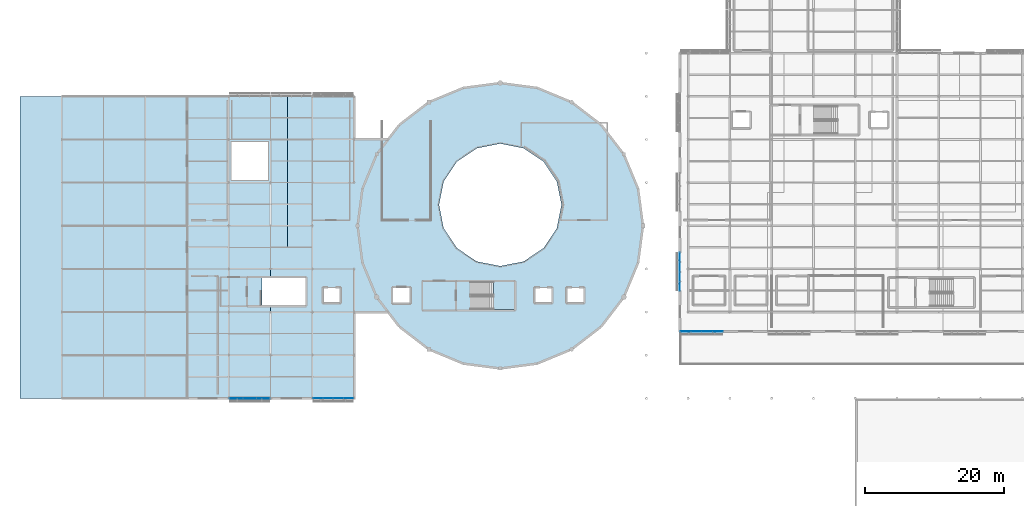
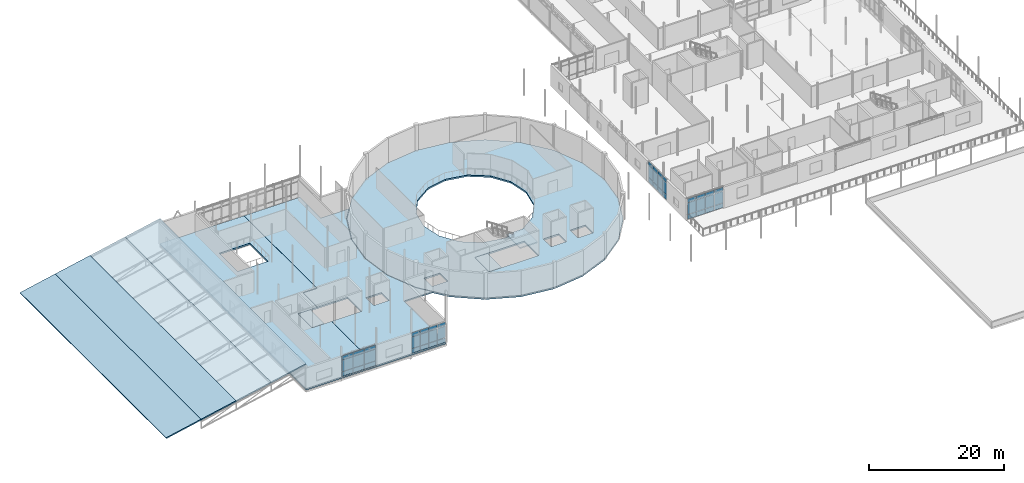
# One storey, part 38 of 66: 45 plates, 10 slabs, 5 elements without a shape of their own.
"""IFC4 building model written with IfcOpenShell, lengths in metres."""

from ifc_helpers import new_model, si_unit, direction, frame, origin, origin_2d, place, context, subcontext, project, spatial, polyline, rectangle, outline, extrude, material, layer, layer_set, type_object, element, aggregate, save


model = new_model("IFC4")

# Units and contexts
model_context = context("Model", 3, precision=1e-05, world=origin(), true_north=direction((0.0, 1.0)))
body_context = subcontext(model_context, "Body", "Model", "MODEL_VIEW")
ifc_project = project(units=[si_unit("LENGTHUNIT", "METRE"), si_unit("AREAUNIT", "SQUARE_METRE"), si_unit("VOLUMEUNIT", "CUBIC_METRE"), si_unit("PLANEANGLEUNIT", "RADIAN"), si_unit("MASSUNIT", "GRAM", prefix="KILO")], contexts=[model_context])

# Site, building, storey
site_placement = place(None, origin())
site = spatial("IfcSite", under=ifc_project, at=site_placement, CompositionType="ELEMENT")
building_placement = place(site_placement, origin())
building = spatial("IfcBuilding", under=site, at=building_placement, Name="Mirzam Square Science Centre", CompositionType="ELEMENT")
storey_placement = place(building_placement, frame((0.0, 0.0, 15.60009765625)))
storey = spatial("IfcBuildingStorey", under=building, at=storey_placement, Name="L03", CompositionType="ELEMENT", Elevation=15.60009765625)

# Curtain wall, plates
ifc_material_1 = material(Name="Anodised Aluminium and Low-E Solar Glass", Category="aluminium")
ifc_layer_1 = layer(ifc_material_1, 0.159912109375)
ifc_layer_set_1 = layer_set([ifc_layer_1], Name="CW-COURT-B")
curtain_wall_type_1 = type_object("IfcCurtainWallType", Name="CW-COURT-B", PredefinedType="USERDEFINED", material=ifc_layer_set_1)
curtain_wall_1_placement = place(storey_placement, origin())
curtain_wall_1 = element("IfcCurtainWall", 1, at=curtain_wall_1_placement, inside=storey, type_object=curtain_wall_type_1, Name="L03 unitised curtain wall 123", ObjectType="UNITISED CURTAIN WALL", PredefinedType="USERDEFINED")
ifc_material_2 = material(Name="Ceramic-Fritted Courtyard Solar Glass", Category="glass")
ifc_layer_2 = layer(ifc_material_2, 0.02392578125)
ifc_layer_set_2 = layer_set([ifc_layer_2], Name="CWP-GLZ-24")
plate_type_1 = type_object("IfcPlateType", Name="CWP-GLZ-24", PredefinedType="CURTAIN_PANEL", material=ifc_layer_set_2)
plate_1_placement = place(storey_placement, frame((107.643798828125, 46.800048828125, 0.059814453125), z_axis=(0.0, 0.0, 1.0), x_axis=(1.0, 0.0, 0.0)))
plate_1 = element("IfcPlate", 2, at=plate_1_placement, type_object=plate_type_1, Name="CW-04 panel 1.1", PredefinedType="CURTAIN_PANEL", context=body_context, shape_type="SweptSolid", body=[
    extrude(rectangle(XDim=1.45751953125, YDim=0.02392578125, at=origin_2d()), origin(), (0.0, 0.0, 1.0), 0.81005859375),
])
plate_2_placement = place(storey_placement, frame((107.643798828125, 46.800048828125, 0.929931640625), z_axis=(0.0, 0.0, 1.0), x_axis=(1.0, 0.0, 0.0)))
plate_2 = element("IfcPlate", 3, at=plate_2_placement, type_object=plate_type_1, Name="CW-04 panel 1.2", PredefinedType="CURTAIN_PANEL", context=body_context, shape_type="SweptSolid", body=[
    extrude(rectangle(XDim=1.45751953125, YDim=0.02392578125, at=origin_2d()), origin(), (0.0, 0.0, 1.0), 2.080078125),
])
plate_3_placement = place(storey_placement, frame((107.643798828125, 46.800048828125, 3.06982421875), z_axis=(0.0, 0.0, 1.0), x_axis=(1.0, 0.0, 0.0)))
plate_3 = element("IfcPlate", 4, at=plate_3_placement, type_object=plate_type_1, Name="CW-04 panel 1.3", PredefinedType="CURTAIN_PANEL", context=body_context, shape_type="SweptSolid", body=[
    extrude(rectangle(XDim=1.45751953125, YDim=0.02392578125, at=origin_2d()), origin(), (0.0, 0.0, 1.0), 0.7099609375),
])
plate_4_placement = place(storey_placement, frame((109.17626953125, 46.800048828125, 0.059814453125), z_axis=(0.0, 0.0, 1.0), x_axis=(1.0, 0.0, 0.0)))
plate_4 = element("IfcPlate", 5, at=plate_4_placement, type_object=plate_type_1, Name="CW-04 panel 2.1", PredefinedType="CURTAIN_PANEL", context=body_context, shape_type="SweptSolid", body=[
    extrude(rectangle(XDim=1.487548828125, YDim=0.02392578125, at=origin_2d()), origin(), (0.0, 0.0, 1.0), 0.81005859375),
])
plate_5_placement = place(storey_placement, frame((109.17626953125, 46.800048828125, 0.929931640625), z_axis=(0.0, 0.0, 1.0), x_axis=(1.0, 0.0, 0.0)))
plate_5 = element("IfcPlate", 6, at=plate_5_placement, type_object=plate_type_1, Name="CW-04 panel 2.2", PredefinedType="CURTAIN_PANEL", context=body_context, shape_type="SweptSolid", body=[
    extrude(rectangle(XDim=1.487548828125, YDim=0.02392578125, at=origin_2d()), origin(), (0.0, 0.0, 1.0), 2.080078125),
])
plate_6_placement = place(storey_placement, frame((109.17626953125, 46.800048828125, 3.06982421875), z_axis=(0.0, 0.0, 1.0), x_axis=(1.0, 0.0, 0.0)))
plate_6 = element("IfcPlate", 7, at=plate_6_placement, type_object=plate_type_1, Name="CW-04 panel 2.3", PredefinedType="CURTAIN_PANEL", context=body_context, shape_type="SweptSolid", body=[
    extrude(rectangle(XDim=1.487548828125, YDim=0.02392578125, at=origin_2d()), origin(), (0.0, 0.0, 1.0), 0.7099609375),
])
plate_7_placement = place(storey_placement, frame((110.7236328125, 46.800048828125, 0.059814453125), z_axis=(0.0, 0.0, 1.0), x_axis=(1.0, 0.0, 0.0)))
plate_7 = element("IfcPlate", 8, at=plate_7_placement, type_object=plate_type_1, Name="CW-04 panel 3.1", PredefinedType="CURTAIN_PANEL", context=body_context, shape_type="SweptSolid", body=[
    extrude(rectangle(XDim=1.487548828125, YDim=0.02392578125, at=origin_2d()), origin(), (0.0, 0.0, 1.0), 0.81005859375),
])
plate_8_placement = place(storey_placement, frame((110.7236328125, 46.800048828125, 0.929931640625), z_axis=(0.0, 0.0, 1.0), x_axis=(1.0, 0.0, 0.0)))
plate_8 = element("IfcPlate", 9, at=plate_8_placement, type_object=plate_type_1, Name="CW-04 panel 3.2", PredefinedType="CURTAIN_PANEL", context=body_context, shape_type="SweptSolid", body=[
    extrude(rectangle(XDim=1.487548828125, YDim=0.02392578125, at=origin_2d()), origin(), (0.0, 0.0, 1.0), 2.080078125),
])
plate_9_placement = place(storey_placement, frame((110.7236328125, 46.800048828125, 3.06982421875), z_axis=(0.0, 0.0, 1.0), x_axis=(1.0, 0.0, 0.0)))
plate_9 = element("IfcPlate", 10, at=plate_9_placement, type_object=plate_type_1, Name="CW-04 panel 3.3", PredefinedType="CURTAIN_PANEL", context=body_context, shape_type="SweptSolid", body=[
    extrude(rectangle(XDim=1.487548828125, YDim=0.02392578125, at=origin_2d()), origin(), (0.0, 0.0, 1.0), 0.7099609375),
])
plate_10_placement = place(storey_placement, frame((112.25634765625, 46.800048828125, 0.059814453125), z_axis=(0.0, 0.0, 1.0), x_axis=(1.0, 0.0, 0.0)))
plate_10 = element("IfcPlate", 11, at=plate_10_placement, type_object=plate_type_1, Name="CW-04 panel 4.1", PredefinedType="CURTAIN_PANEL", context=body_context, shape_type="SweptSolid", body=[
    extrude(rectangle(XDim=1.45751953125, YDim=0.02392578125, at=origin_2d()), origin(), (0.0, 0.0, 1.0), 0.81005859375),
])
plate_11_placement = place(storey_placement, frame((112.25634765625, 46.800048828125, 0.929931640625), z_axis=(0.0, 0.0, 1.0), x_axis=(1.0, 0.0, 0.0)))
plate_11 = element("IfcPlate", 12, at=plate_11_placement, type_object=plate_type_1, Name="CW-04 panel 4.2", PredefinedType="CURTAIN_PANEL", context=body_context, shape_type="SweptSolid", body=[
    extrude(rectangle(XDim=1.45751953125, YDim=0.02392578125, at=origin_2d()), origin(), (0.0, 0.0, 1.0), 2.080078125),
])
plate_12_placement = place(storey_placement, frame((112.25634765625, 46.800048828125, 3.06982421875), z_axis=(0.0, 0.0, 1.0), x_axis=(1.0, 0.0, 0.0)))
plate_12 = element("IfcPlate", 13, at=plate_12_placement, type_object=plate_type_1, Name="CW-04 panel 4.3", PredefinedType="CURTAIN_PANEL", context=body_context, shape_type="SweptSolid", body=[
    extrude(rectangle(XDim=1.45751953125, YDim=0.02392578125, at=origin_2d()), origin(), (0.0, 0.0, 1.0), 0.7099609375),
])
aggregate(curtain_wall_1, [plate_1, plate_2, plate_3, plate_4, plate_5, plate_6, plate_7, plate_8, plate_9, plate_10, plate_11, plate_12])

curtain_wall_2_placement = place(storey_placement, origin())
curtain_wall_2 = element("IfcCurtainWall", 14, at=curtain_wall_2_placement, inside=storey, type_object=curtain_wall_type_1, Name="L03 unitised curtain wall 35", ObjectType="UNITISED CURTAIN WALL", PredefinedType="USERDEFINED")
ifc_material_3 = material(Name="Triple-Glazed Acoustic Low-E Solar Glass", Category="glass")
ifc_layer_3 = layer(ifc_material_3, 0.031982421875)
ifc_layer_set_3 = layer_set([ifc_layer_3], Name="CWP-GLZ-32")
plate_type_2 = type_object("IfcPlateType", Name="CWP-GLZ-32", PredefinedType="CURTAIN_PANEL", material=ifc_layer_set_3)
plate_13_placement = place(storey_placement, frame((54.81005859375, 37.199951171875, 0.074951171875), z_axis=(0.0, 0.0, 1.0), x_axis=(1.0, 0.0, 0.0)))
plate_13 = element("IfcPlate", 15, at=plate_13_placement, type_object=plate_type_2, Name="CW-04 panel 1.1", PredefinedType="CURTAIN_PANEL", context=body_context, shape_type="SweptSolid", body=[
    extrude(rectangle(XDim=1.360107421875, YDim=0.031982421875, at=origin_2d()), origin(), (0.0, 0.0, 1.0), 0.78759765625),
])
plate_14_placement = place(storey_placement, frame((54.81005859375, 37.199951171875, 0.9375), z_axis=(0.0, 0.0, 1.0), x_axis=(1.0, 0.0, 0.0)))
plate_14 = element("IfcPlate", 16, at=plate_14_placement, type_object=plate_type_2, Name="CW-04 panel 1.2", PredefinedType="CURTAIN_PANEL", context=body_context, shape_type="SweptSolid", body=[
    extrude(rectangle(XDim=1.360107421875, YDim=0.031982421875, at=origin_2d()), origin(), (0.0, 0.0, 1.0), 2.06494140625),
])
plate_15_placement = place(storey_placement, frame((54.81005859375, 37.199951171875, 3.077392578125), z_axis=(0.0, 0.0, 1.0), x_axis=(1.0, 0.0, 0.0)))
plate_15 = element("IfcPlate", 17, at=plate_15_placement, type_object=plate_type_2, Name="CW-04 panel 1.3", PredefinedType="CURTAIN_PANEL", context=body_context, shape_type="SweptSolid", body=[
    extrude(rectangle(XDim=1.360107421875, YDim=0.031982421875, at=origin_2d()), origin(), (0.0, 0.0, 1.0), 0.6875),
])
plate_16_placement = place(storey_placement, frame((56.263671875, 37.199951171875, 0.074951171875), z_axis=(0.0, 0.0, 1.0), x_axis=(1.0, 0.0, 0.0)))
plate_16 = element("IfcPlate", 18, at=plate_16_placement, type_object=plate_type_2, Name="CW-04 panel 2.1", PredefinedType="CURTAIN_PANEL", context=body_context, shape_type="SweptSolid", body=[
    extrude(rectangle(XDim=1.3974609375, YDim=0.031982421875, at=origin_2d()), origin(), (0.0, 0.0, 1.0), 0.78759765625),
])
plate_17_placement = place(storey_placement, frame((56.263671875, 37.199951171875, 0.9375), z_axis=(0.0, 0.0, 1.0), x_axis=(1.0, 0.0, 0.0)))
plate_17 = element("IfcPlate", 19, at=plate_17_placement, type_object=plate_type_2, Name="CW-04 panel 2.2", PredefinedType="CURTAIN_PANEL", context=body_context, shape_type="SweptSolid", body=[
    extrude(rectangle(XDim=1.3974609375, YDim=0.031982421875, at=origin_2d()), origin(), (0.0, 0.0, 1.0), 2.06494140625),
])
plate_18_placement = place(storey_placement, frame((56.263671875, 37.199951171875, 3.077392578125), z_axis=(0.0, 0.0, 1.0), x_axis=(1.0, 0.0, 0.0)))
plate_18 = element("IfcPlate", 20, at=plate_18_placement, type_object=plate_type_2, Name="CW-04 panel 2.3", PredefinedType="CURTAIN_PANEL", context=body_context, shape_type="SweptSolid", body=[
    extrude(rectangle(XDim=1.3974609375, YDim=0.031982421875, at=origin_2d()), origin(), (0.0, 0.0, 1.0), 0.6875),
])
plate_19_placement = place(storey_placement, frame((57.736328125, 37.199951171875, 0.074951171875), z_axis=(0.0, 0.0, 1.0), x_axis=(1.0, 0.0, 0.0)))
plate_19 = element("IfcPlate", 21, at=plate_19_placement, type_object=plate_type_2, Name="CW-04 panel 3.1", PredefinedType="CURTAIN_PANEL", context=body_context, shape_type="SweptSolid", body=[
    extrude(rectangle(XDim=1.3974609375, YDim=0.031982421875, at=origin_2d()), origin(), (0.0, 0.0, 1.0), 0.78759765625),
])
plate_20_placement = place(storey_placement, frame((57.736328125, 37.199951171875, 0.9375), z_axis=(0.0, 0.0, 1.0), x_axis=(1.0, 0.0, 0.0)))
plate_20 = element("IfcPlate", 22, at=plate_20_placement, type_object=plate_type_2, Name="CW-04 panel 3.2", PredefinedType="CURTAIN_PANEL", context=body_context, shape_type="SweptSolid", body=[
    extrude(rectangle(XDim=1.3974609375, YDim=0.031982421875, at=origin_2d()), origin(), (0.0, 0.0, 1.0), 2.06494140625),
])
plate_21_placement = place(storey_placement, frame((57.736328125, 37.199951171875, 3.077392578125), z_axis=(0.0, 0.0, 1.0), x_axis=(1.0, 0.0, 0.0)))
plate_21 = element("IfcPlate", 23, at=plate_21_placement, type_object=plate_type_2, Name="CW-04 panel 3.3", PredefinedType="CURTAIN_PANEL", context=body_context, shape_type="SweptSolid", body=[
    extrude(rectangle(XDim=1.3974609375, YDim=0.031982421875, at=origin_2d()), origin(), (0.0, 0.0, 1.0), 0.6875),
])
plate_22_placement = place(storey_placement, frame((59.18994140625, 37.199951171875, 0.074951171875), z_axis=(0.0, 0.0, 1.0), x_axis=(1.0, 0.0, 0.0)))
plate_22 = element("IfcPlate", 24, at=plate_22_placement, type_object=plate_type_2, Name="CW-04 panel 4.1", PredefinedType="CURTAIN_PANEL", context=body_context, shape_type="SweptSolid", body=[
    extrude(rectangle(XDim=1.360107421875, YDim=0.031982421875, at=origin_2d()), origin(), (0.0, 0.0, 1.0), 0.78759765625),
])
plate_23_placement = place(storey_placement, frame((59.18994140625, 37.199951171875, 0.9375), z_axis=(0.0, 0.0, 1.0), x_axis=(1.0, 0.0, 0.0)))
plate_23 = element("IfcPlate", 25, at=plate_23_placement, type_object=plate_type_2, Name="CW-04 panel 4.2", PredefinedType="CURTAIN_PANEL", context=body_context, shape_type="SweptSolid", body=[
    extrude(rectangle(XDim=1.360107421875, YDim=0.031982421875, at=origin_2d()), origin(), (0.0, 0.0, 1.0), 2.06494140625),
])
plate_24_placement = place(storey_placement, frame((59.18994140625, 37.199951171875, 3.077392578125), z_axis=(0.0, 0.0, 1.0), x_axis=(1.0, 0.0, 0.0)))
plate_24 = element("IfcPlate", 26, at=plate_24_placement, type_object=plate_type_2, Name="CW-04 panel 4.3", PredefinedType="CURTAIN_PANEL", context=body_context, shape_type="SweptSolid", body=[
    extrude(rectangle(XDim=1.360107421875, YDim=0.031982421875, at=origin_2d()), origin(), (0.0, 0.0, 1.0), 0.6875),
])
aggregate(curtain_wall_2, [plate_13, plate_14, plate_15, plate_16, plate_17, plate_18, plate_19, plate_20, plate_21, plate_22, plate_23, plate_24])

ifc_layer_4 = layer(ifc_material_1, 0.179931640625)
ifc_layer_set_4 = layer_set([ifc_layer_4], Name="CW-LINK-A")
curtain_wall_type_2 = type_object("IfcCurtainWallType", Name="CW-LINK-A", PredefinedType="USERDEFINED", material=ifc_layer_set_4)
curtain_wall_3_placement = place(storey_placement, origin())
curtain_wall_3 = element("IfcCurtainWall", 27, at=curtain_wall_3_placement, inside=storey, type_object=curtain_wall_type_2, Name="L03 unitised curtain wall 135", ObjectType="UNITISED CURTAIN WALL", PredefinedType="USERDEFINED")
ifc_material_4 = material(Name="Laminated Low-Iron Observatory Solar Glass", Category="glass")
ifc_layer_5 = layer(ifc_material_4, 0.035888671875)
ifc_layer_set_5 = layer_set([ifc_layer_5], Name="CWP-GLZ-36")
plate_type_3 = type_object("IfcPlateType", Name="CWP-GLZ-36", PredefinedType="CURTAIN_PANEL", material=ifc_layer_set_5)
plate_25_placement = place(storey_placement, frame((106.800048828125, 57.456787109375, 0.06494140625), z_axis=(0.0, 0.0, 1.0), x_axis=(0.0, -1.0, 0.0)))
plate_25 = element("IfcPlate", 28, at=plate_25_placement, type_object=plate_type_3, Name="CW-08 panel 1.1", PredefinedType="CURTAIN_PANEL", context=body_context, shape_type="SweptSolid", body=[
    extrude(rectangle(XDim=1.303466796875, YDim=0.035888671875, at=origin_2d()), origin(), (0.0, 0.0, 1.0), 0.802490234375),
])
plate_26_placement = place(storey_placement, frame((106.800048828125, 57.456787109375, 0.9326171875), z_axis=(0.0, 0.0, 1.0), x_axis=(0.0, -1.0, 0.0)))
plate_26 = element("IfcPlate", 29, at=plate_26_placement, type_object=plate_type_3, Name="CW-08 panel 1.2", PredefinedType="CURTAIN_PANEL", context=body_context, shape_type="SweptSolid", body=[
    extrude(rectangle(XDim=1.303466796875, YDim=0.035888671875, at=origin_2d()), origin(), (0.0, 0.0, 1.0), 2.074951171875),
])
plate_27_placement = place(storey_placement, frame((106.800048828125, 57.456787109375, 3.072265625), z_axis=(0.0, 0.0, 1.0), x_axis=(0.0, -1.0, 0.0)))
plate_27 = element("IfcPlate", 30, at=plate_27_placement, type_object=plate_type_3, Name="CW-08 panel 1.3", PredefinedType="CURTAIN_PANEL", context=body_context, shape_type="SweptSolid", body=[
    extrude(rectangle(XDim=1.303466796875, YDim=0.035888671875, at=origin_2d()), origin(), (0.0, 0.0, 1.0), 0.702392578125),
])
plate_28_placement = place(storey_placement, frame((106.800048828125, 56.072021484375, 0.06494140625), z_axis=(0.0, 0.0, 1.0), x_axis=(0.0, -1.0, 0.0)))
plate_28 = element("IfcPlate", 31, at=plate_28_placement, type_object=plate_type_3, Name="CW-08 panel 2.1", PredefinedType="CURTAIN_PANEL", context=body_context, shape_type="SweptSolid", body=[
    extrude(rectangle(XDim=1.336181640625, YDim=0.035888671875, at=origin_2d()), origin(), (0.0, 0.0, 1.0), 0.802490234375),
])
plate_29_placement = place(storey_placement, frame((106.800048828125, 56.072021484375, 0.9326171875), z_axis=(0.0, 0.0, 1.0), x_axis=(0.0, -1.0, 0.0)))
plate_29 = element("IfcPlate", 32, at=plate_29_placement, type_object=plate_type_3, Name="CW-08 panel 2.2", PredefinedType="CURTAIN_PANEL", context=body_context, shape_type="SweptSolid", body=[
    extrude(rectangle(XDim=1.336181640625, YDim=0.035888671875, at=origin_2d()), origin(), (0.0, 0.0, 1.0), 2.074951171875),
])
plate_30_placement = place(storey_placement, frame((106.800048828125, 56.072021484375, 3.072265625), z_axis=(0.0, 0.0, 1.0), x_axis=(0.0, -1.0, 0.0)))
plate_30 = element("IfcPlate", 33, at=plate_30_placement, type_object=plate_type_3, Name="CW-08 panel 2.3", PredefinedType="CURTAIN_PANEL", context=body_context, shape_type="SweptSolid", body=[
    extrude(rectangle(XDim=1.336181640625, YDim=0.035888671875, at=origin_2d()), origin(), (0.0, 0.0, 1.0), 0.702392578125),
])
plate_31_placement = place(storey_placement, frame((106.800048828125, 54.6708984375, 0.06494140625), z_axis=(0.0, 0.0, 1.0), x_axis=(0.0, -1.0, 0.0)))
plate_31 = element("IfcPlate", 34, at=plate_31_placement, type_object=plate_type_3, Name="CW-08 panel 3.1", PredefinedType="CURTAIN_PANEL", context=body_context, shape_type="SweptSolid", body=[
    extrude(rectangle(XDim=1.336181640625, YDim=0.035888671875, at=origin_2d()), origin(), (0.0, 0.0, 1.0), 0.802490234375),
])
plate_32_placement = place(storey_placement, frame((106.800048828125, 54.6708984375, 0.9326171875), z_axis=(0.0, 0.0, 1.0), x_axis=(0.0, -1.0, 0.0)))
plate_32 = element("IfcPlate", 35, at=plate_32_placement, type_object=plate_type_3, Name="CW-08 panel 3.2", PredefinedType="CURTAIN_PANEL", context=body_context, shape_type="SweptSolid", body=[
    extrude(rectangle(XDim=1.336181640625, YDim=0.035888671875, at=origin_2d()), origin(), (0.0, 0.0, 1.0), 2.074951171875),
])
plate_33_placement = place(storey_placement, frame((106.800048828125, 54.6708984375, 3.072265625), z_axis=(0.0, 0.0, 1.0), x_axis=(0.0, -1.0, 0.0)))
plate_33 = element("IfcPlate", 36, at=plate_33_placement, type_object=plate_type_3, Name="CW-08 panel 3.3", PredefinedType="CURTAIN_PANEL", context=body_context, shape_type="SweptSolid", body=[
    extrude(rectangle(XDim=1.336181640625, YDim=0.035888671875, at=origin_2d()), origin(), (0.0, 0.0, 1.0), 0.702392578125),
])
plate_34_placement = place(storey_placement, frame((106.800048828125, 53.2861328125, 0.06494140625), z_axis=(0.0, 0.0, 1.0), x_axis=(0.0, -1.0, 0.0)))
plate_34 = element("IfcPlate", 37, at=plate_34_placement, type_object=plate_type_3, Name="CW-08 panel 4.1", PredefinedType="CURTAIN_PANEL", context=body_context, shape_type="SweptSolid", body=[
    extrude(rectangle(XDim=1.303466796875, YDim=0.035888671875, at=origin_2d()), origin(), (0.0, 0.0, 1.0), 0.802490234375),
])
plate_35_placement = place(storey_placement, frame((106.800048828125, 53.2861328125, 0.9326171875), z_axis=(0.0, 0.0, 1.0), x_axis=(0.0, -1.0, 0.0)))
plate_35 = element("IfcPlate", 38, at=plate_35_placement, type_object=plate_type_3, Name="CW-08 panel 4.2", PredefinedType="CURTAIN_PANEL", context=body_context, shape_type="SweptSolid", body=[
    extrude(rectangle(XDim=1.303466796875, YDim=0.035888671875, at=origin_2d()), origin(), (0.0, 0.0, 1.0), 2.074951171875),
])
plate_36_placement = place(storey_placement, frame((106.800048828125, 53.2861328125, 3.072265625), z_axis=(0.0, 0.0, 1.0), x_axis=(0.0, -1.0, 0.0)))
plate_36 = element("IfcPlate", 39, at=plate_36_placement, type_object=plate_type_3, Name="CW-08 panel 4.3", PredefinedType="CURTAIN_PANEL", context=body_context, shape_type="SweptSolid", body=[
    extrude(rectangle(XDim=1.303466796875, YDim=0.035888671875, at=origin_2d()), origin(), (0.0, 0.0, 1.0), 0.702392578125),
])
aggregate(curtain_wall_3, [plate_25, plate_26, plate_27, plate_28, plate_29, plate_30, plate_31, plate_32, plate_33, plate_34, plate_35, plate_36])

ifc_layer_6 = layer(ifc_material_1, 0.199951171875)
ifc_layer_set_6 = layer_set([ifc_layer_6], Name="CW-PARK-B")
curtain_wall_type_3 = type_object("IfcCurtainWallType", Name="CW-PARK-B", PredefinedType="USERDEFINED", material=ifc_layer_set_6)
curtain_wall_4_placement = place(storey_placement, origin())
curtain_wall_4 = element("IfcCurtainWall", 40, at=curtain_wall_4_placement, inside=storey, type_object=curtain_wall_type_3, Name="L03 unitised curtain wall 34", ObjectType="UNITISED CURTAIN WALL", PredefinedType="USERDEFINED")
ifc_material_5 = material(Name="Acoustic Laminated Solar Spandrel Glass", Category="glass")
ifc_layer_7 = layer(ifc_material_5, 0.0400390625)
ifc_layer_set_7 = layer_set([ifc_layer_7], Name="CWP-GLZ-40")
plate_type_4 = type_object("IfcPlateType", Name="CWP-GLZ-40", PredefinedType="CURTAIN_PANEL", material=ifc_layer_set_7)
plate_37_placement = place(storey_placement, frame((43.0517578125, 37.199951171875, 0.059814453125), z_axis=(0.0, 0.0, 1.0), x_axis=(1.0, 0.0, 0.0)))
plate_37 = element("IfcPlate", 41, at=plate_37_placement, type_object=plate_type_4, Name="CW-02 panel 1.1", PredefinedType="CURTAIN_PANEL", context=body_context, shape_type="SweptSolid", body=[
    extrude(rectangle(XDim=1.873291015625, YDim=0.0400390625, at=origin_2d()), origin(), (0.0, 0.0, 1.0), 0.81005859375),
])
plate_38_placement = place(storey_placement, frame((43.0517578125, 37.199951171875, 0.929931640625), z_axis=(0.0, 0.0, 1.0), x_axis=(1.0, 0.0, 0.0)))
plate_38 = element("IfcPlate", 42, at=plate_38_placement, type_object=plate_type_4, Name="CW-02 panel 1.2", PredefinedType="CURTAIN_PANEL", context=body_context, shape_type="SweptSolid", body=[
    extrude(rectangle(XDim=1.873291015625, YDim=0.0400390625, at=origin_2d()), origin(), (0.0, 0.0, 1.0), 2.080078125),
])
plate_39_placement = place(storey_placement, frame((43.0517578125, 37.199951171875, 3.06982421875), z_axis=(0.0, 0.0, 1.0), x_axis=(1.0, 0.0, 0.0)))
plate_39 = element("IfcPlate", 43, at=plate_39_placement, type_object=plate_type_4, Name="CW-02 panel 1.3", PredefinedType="CURTAIN_PANEL", context=body_context, shape_type="SweptSolid", body=[
    extrude(rectangle(XDim=1.873291015625, YDim=0.0400390625, at=origin_2d()), origin(), (0.0, 0.0, 1.0), 0.7099609375),
])
plate_40_placement = place(storey_placement, frame((45.0, 37.199951171875, 0.059814453125), z_axis=(0.0, 0.0, 1.0), x_axis=(1.0, 0.0, 0.0)))
plate_40 = element("IfcPlate", 44, at=plate_40_placement, type_object=plate_type_4, Name="CW-02 panel 2.1", PredefinedType="CURTAIN_PANEL", context=body_context, shape_type="SweptSolid", body=[
    extrude(rectangle(XDim=1.9033203125, YDim=0.0400390625, at=origin_2d()), origin(), (0.0, 0.0, 1.0), 0.81005859375),
])
plate_41_placement = place(storey_placement, frame((45.0, 37.199951171875, 0.929931640625), z_axis=(0.0, 0.0, 1.0), x_axis=(1.0, 0.0, 0.0)))
plate_41 = element("IfcPlate", 45, at=plate_41_placement, type_object=plate_type_4, Name="CW-02 panel 2.2", PredefinedType="CURTAIN_PANEL", context=body_context, shape_type="SweptSolid", body=[
    extrude(rectangle(XDim=1.9033203125, YDim=0.0400390625, at=origin_2d()), origin(), (0.0, 0.0, 1.0), 2.080078125),
])
plate_42_placement = place(storey_placement, frame((45.0, 37.199951171875, 3.06982421875), z_axis=(0.0, 0.0, 1.0), x_axis=(1.0, 0.0, 0.0)))
plate_42 = element("IfcPlate", 46, at=plate_42_placement, type_object=plate_type_4, Name="CW-02 panel 2.3", PredefinedType="CURTAIN_PANEL", context=body_context, shape_type="SweptSolid", body=[
    extrude(rectangle(XDim=1.9033203125, YDim=0.0400390625, at=origin_2d()), origin(), (0.0, 0.0, 1.0), 0.7099609375),
])
plate_43_placement = place(storey_placement, frame((46.9482421875, 37.199951171875, 0.059814453125), z_axis=(0.0, 0.0, 1.0), x_axis=(1.0, 0.0, 0.0)))
plate_43 = element("IfcPlate", 47, at=plate_43_placement, type_object=plate_type_4, Name="CW-02 panel 3.1", PredefinedType="CURTAIN_PANEL", context=body_context, shape_type="SweptSolid", body=[
    extrude(rectangle(XDim=1.873291015625, YDim=0.0400390625, at=origin_2d()), origin(), (0.0, 0.0, 1.0), 0.81005859375),
])
plate_44_placement = place(storey_placement, frame((46.9482421875, 37.199951171875, 0.929931640625), z_axis=(0.0, 0.0, 1.0), x_axis=(1.0, 0.0, 0.0)))
plate_44 = element("IfcPlate", 48, at=plate_44_placement, type_object=plate_type_4, Name="CW-02 panel 3.2", PredefinedType="CURTAIN_PANEL", context=body_context, shape_type="SweptSolid", body=[
    extrude(rectangle(XDim=1.873291015625, YDim=0.0400390625, at=origin_2d()), origin(), (0.0, 0.0, 1.0), 2.080078125),
])
plate_45_placement = place(storey_placement, frame((46.9482421875, 37.199951171875, 3.06982421875), z_axis=(0.0, 0.0, 1.0), x_axis=(1.0, 0.0, 0.0)))
plate_45 = element("IfcPlate", 49, at=plate_45_placement, type_object=plate_type_4, Name="CW-02 panel 3.3", PredefinedType="CURTAIN_PANEL", context=body_context, shape_type="SweptSolid", body=[
    extrude(rectangle(XDim=1.873291015625, YDim=0.0400390625, at=origin_2d()), origin(), (0.0, 0.0, 1.0), 0.7099609375),
])
aggregate(curtain_wall_4, [plate_37, plate_38, plate_39, plate_40, plate_41, plate_42, plate_43, plate_44, plate_45])

# Slabs
ifc_material_6 = material(Name="Concrete C45/55", Category="concrete")
ifc_layer_8 = layer(ifc_material_6, 0.280029296875)
ifc_layer_set_8 = layer_set([ifc_layer_8], Name="SL-DRUM-280")
slab_type_1 = type_object("IfcSlabType", Name="SL-DRUM-280", PredefinedType="FLOOR", material=ifc_layer_set_8)
slab_1_placement = place(storey_placement, frame((0.0, 0.0, -0.280029296875)))
element("IfcSlab", 50, at=slab_1_placement, inside=storey, type_object=slab_type_1, Name="L03 drum slab", PredefinedType="FLOOR", context=body_context, shape_type="SweptSolid", body=[
    extrude(outline(polyline([(100.801513671875, 56.694091796875), (98.75341796875, 51.75), (95.49560546875, 47.50439453125), (91.25, 44.24658203125), (86.305908203125, 42.198486328125), (81.0, 41.5), (75.694091796875, 42.198486328125), (70.75, 44.24658203125), (66.50439453125, 47.50439453125), (63.24658203125, 51.75), (61.198486328125, 56.694091796875), (60.5, 62.0), (61.198486328125, 67.305908203125), (63.24658203125, 72.25), (66.50439453125, 76.49560546875), (70.75, 79.75341796875), (75.694091796875, 81.801513671875), (81.0, 82.5), (86.305908203125, 81.801513671875), (91.25, 79.75341796875), (95.49560546875, 76.49560546875), (98.75341796875, 72.25), (100.801513671875, 67.305908203125), (101.5, 62.0), (100.801513671875, 56.694091796875)]), holes=[polyline([(83.159912109375, 54.090087890625), (74.639892578125, 54.090087890625), (74.639892578125, 49.840087890625), (83.159912109375, 49.840087890625), (83.159912109375, 54.090087890625)]), polyline([(68.14990234375, 50.800048828125), (68.14990234375, 53.199951171875), (65.449951171875, 53.199951171875), (65.449951171875, 50.800048828125), (68.14990234375, 50.800048828125)]), polyline([(88.5, 53.14990234375), (85.89990234375, 53.14990234375), (85.89990234375, 50.85009765625), (88.5, 50.85009765625), (88.5, 53.14990234375)]), polyline([(84.36767578125, 56.869873046875), (87.222412109375, 58.777587890625), (89.130126953125, 61.63232421875), (89.800048828125, 65.0), (89.130126953125, 68.36767578125), (87.222412109375, 71.222412109375), (84.36767578125, 73.130126953125), (81.0, 73.800048828125), (77.63232421875, 73.130126953125), (74.777587890625, 71.222412109375), (72.869873046875, 68.36767578125), (72.199951171875, 65.0), (72.869873046875, 61.63232421875), (74.777587890625, 58.777587890625), (77.63232421875, 56.869873046875), (81.0, 56.199951171875), (84.36767578125, 56.869873046875)]), polyline([(93.10009765625, 50.85009765625), (93.10009765625, 53.14990234375), (90.5, 53.14990234375), (90.5, 50.85009765625), (93.10009765625, 50.85009765625)])]), origin(), (0.0, 0.0, 1.0), 0.280029296875),
])
ifc_material_7 = material(Name="Concrete C40/50", Category="concrete")
ifc_layer_9 = layer(ifc_material_7, 0.260009765625)
ifc_layer_set_9 = layer_set([ifc_layer_9], Name="SL-EXH-260")
slab_type_2 = type_object("IfcSlabType", Name="SL-EXH-260", PredefinedType="FLOOR", material=ifc_layer_set_9)
slab_2_placement = place(storey_placement, frame((0.0, 0.0, -0.260009765625)))
element("IfcSlab", 51, at=slab_2_placement, inside=storey, type_object=slab_type_2, Name="L03 wedge 1 slab", PredefinedType="FLOOR", context=body_context, shape_type="SweptSolid", body=[
    extrude(outline(polyline([(36.0, 37.199951171875), (36.0, 80.60009765625), (50.39990234375, 80.60009765625), (50.39990234375, 58.89990234375), (48.0, 58.89990234375), (48.0, 54.610107421875), (44.639892578125, 54.610107421875), (44.639892578125, 50.43994140625), (48.0, 50.43994140625), (48.0, 37.199951171875), (36.0, 37.199951171875)]), holes=[polyline([(42.39990234375, 74.0), (42.39990234375, 68.60009765625), (47.60009765625, 68.60009765625), (47.60009765625, 74.0), (42.39990234375, 74.0)])]), origin(), (0.0, 0.0, 1.0), 0.260009765625),
])
slab_3_placement = place(storey_placement, frame((0.0, 0.0, -0.260009765625)))
element("IfcSlab", 52, at=slab_3_placement, inside=storey, type_object=slab_type_2, Name="L03 wedge 2 slab", PredefinedType="FLOOR", context=body_context, shape_type="SweptSolid", body=[
    extrude(outline(polyline([(53.159912109375, 50.43994140625), (53.159912109375, 54.610107421875), (48.0048828125, 54.610107421875), (48.0048828125, 58.89501953125), (50.405029296875, 58.89501953125), (50.405029296875, 80.60009765625), (60.0, 80.60009765625), (60.0, 74.39990234375), (64.8212890625, 74.39990234375), (63.194580078125, 72.280029296875), (61.140625, 67.3212890625), (60.43994140625, 62.0), (61.140625, 56.6787109375), (63.194580078125, 51.719970703125), (64.8212890625, 49.60009765625), (60.0, 49.60009765625), (60.0, 37.199951171875), (48.0048828125, 37.199951171875), (48.0048828125, 50.43994140625), (53.159912109375, 50.43994140625)]), holes=[polyline([(58.10009765625, 53.14990234375), (55.5, 53.14990234375), (55.5, 50.85009765625), (58.10009765625, 50.85009765625), (58.10009765625, 53.14990234375)])]), origin(), (0.0, 0.0, 1.0), 0.260009765625),
])
ifc_layer_10 = layer(ifc_material_7, 0.199951171875)
ifc_layer_set_10 = layer_set([ifc_layer_10], Name="SL-LANDING-200")
slab_type_3 = type_object("IfcSlabType", Name="SL-LANDING-200", PredefinedType="LANDING", material=ifc_layer_set_10)
slab_4_placement = place(storey_placement, frame((0.0, 0.0, -0.2001953125)))
element("IfcSlab", 53, at=slab_4_placement, inside=storey, type_object=slab_type_3, Name="L03 CORE-1 floor landing", PredefinedType="LANDING", context=body_context, shape_type="SweptSolid", body=[
    extrude(outline(polyline([(46.800048828125, 50.445068359375), (44.64501953125, 50.445068359375), (44.64501953125, 54.60498046875), (46.800048828125, 54.60498046875), (46.800048828125, 50.445068359375)])), origin(), (0.0, 0.0, 1.0), 0.2001953125),
])

# Stair, slab
stair_type = type_object("IfcStairType", Name="ST-CORE-3-480", PredefinedType="HALF_TURN_STAIR", material=ifc_material_7)
stair_placement = place(storey_placement, origin())
stair = element("IfcStair", 54, at=stair_placement, inside=storey, type_object=stair_type, Name="L03 ST-03", PredefinedType="HALF_TURN_STAIR")
slab_5_placement = place(storey_placement, frame((0.0, 0.0, 2.199951171875)))
slab_5 = element("IfcSlab", 55, at=slab_5_placement, type_object=slab_type_3, Name="ST-03 landing 1", PredefinedType="LANDING", context=body_context, shape_type="SweptSolid", body=[
    extrude(outline(polyline([(80.050048828125, 49.949951171875), (83.050048828125, 49.949951171875), (83.050048828125, 53.97998046875), (80.050048828125, 53.97998046875), (80.050048828125, 49.949951171875)])), origin(), (0.0, 0.0, 1.0), 0.199951171875),
])
aggregate(stair, [slab_5])

# Slabs
slab_6_placement = place(storey_placement, frame((0.0, 0.0, -0.2001953125)))
element("IfcSlab", 56, at=slab_6_placement, inside=storey, type_object=slab_type_3, Name="L03 CORE-3 floor landing", PredefinedType="LANDING", context=body_context, shape_type="SweptSolid", body=[
    extrude(outline(polyline([(76.840087890625, 49.844970703125), (74.64501953125, 49.844970703125), (74.64501953125, 54.0849609375), (76.840087890625, 54.0849609375), (76.840087890625, 49.844970703125)])), origin(), (0.0, 0.0, 1.0), 0.2001953125),
])
ifc_material_8 = material(Name="Zinc-Clad Insulated Concrete Deck C40/50", Category="concrete")
ifc_layer_11 = layer(ifc_material_8, 0.2099609375)
ifc_layer_set_11 = layer_set([ifc_layer_11], Name="SL-WEDGE-ROOF-210")
slab_type_4 = type_object("IfcSlabType", Name="SL-WEDGE-ROOF-210", PredefinedType="ROOF", material=ifc_layer_set_11)
slab_7_placement = place(storey_placement, frame((12.0, 37.199951171875, -0.47998046875), z_axis=(-0.205480619879, 0.0, 0.978661184912), x_axis=(0.978661184912, 0.0, 0.205480619879)))
element("IfcSlab", 57, at=slab_7_placement, inside=storey, type_object=slab_type_4, Name="West exhibition wedge sloped roof bay 03", PredefinedType="ROOF", context=body_context, shape_type="SweptSolid", body=[
    extrude(outline(polyline([(0.0, 0.0), (6.130824531001654, 0.0), (6.130824531001654, 43.400146484375), (0.0, 43.400146484375), (0.0, 0.0)])), origin(), (0.0, 0.0, -1.0), 0.2099609375),
])
for number, where, z_axis, x_axis, name in (
    (58, (18.0, 37.199951171875, 0.77978515625), (-0.205518759868, 0.0, 0.978653176229), (0.978653176229, 0.0, 0.205518759868), "West exhibition wedge sloped roof bay 04"),
    (59, (24.0, 37.199951171875, 2.039794921875), (-0.205518759868, 0.0, 0.978653176229), (0.978653176229, 0.0, 0.205518759868), "West exhibition wedge sloped roof bay 05"),
    (60, (30.0, 37.199951171875, 3.2998046875), (-0.205518759868, 0.0, 0.978653176229), (0.978653176229, 0.0, 0.205518759868), "West exhibition wedge sloped roof bay 06"),
):
    element("IfcSlab", number, at=place(storey_placement, frame(where, z_axis=z_axis, x_axis=x_axis)), inside=storey, type_object=slab_type_4, Name=name, PredefinedType="ROOF", context=body_context, shape_type="SweptSolid", body=[
        extrude(outline(polyline([(0.0, 0.0), (6.130874701824395, 0.0), (6.130874701824395, 43.40014648437499), (0.0, 43.40014648437499), (0.0, 0.0)])), origin(), (0.0, 0.0, -1.0), 0.2099609375),
    ])

save(model, "model.ifc")
